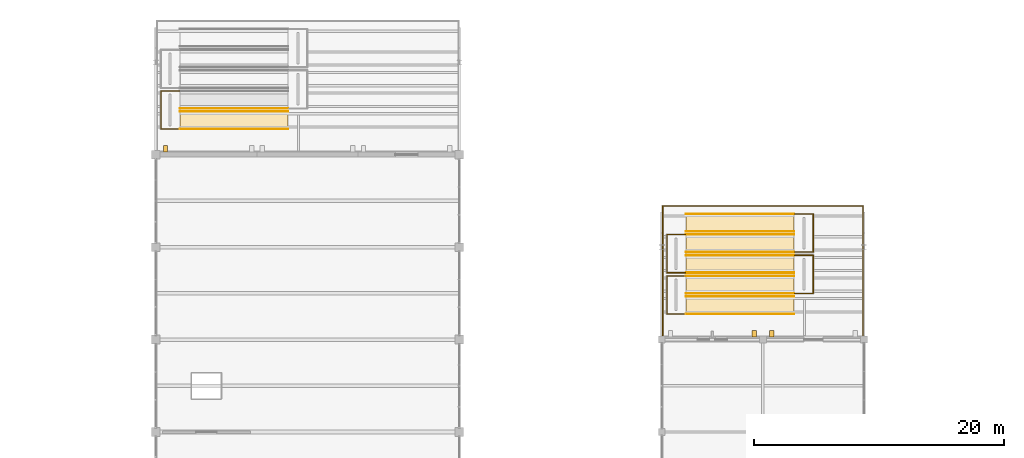
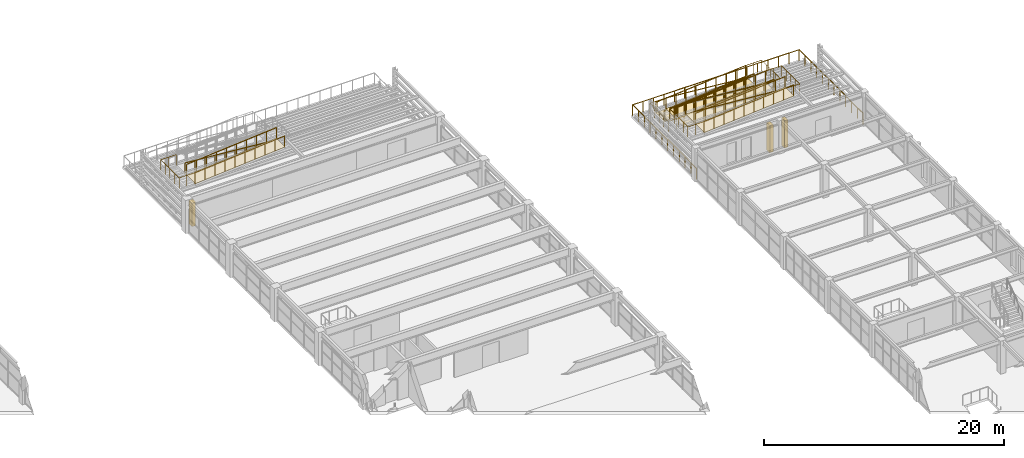
# One storey, part 118 of 121: 19 railings, 6 coverings, 3 shading devices.
"""IFC4 building model written with IfcOpenShell, lengths in metres."""

from ifc_helpers import new_model, si_unit, direction, frame, origin, origin_2d, place, context, subcontext, project, spatial, polyline, rectangle, circle, outline, extrude, material, layer, layer_set, type_object, element, save


model = new_model("IFC4")

# Units and contexts
model_context = context("Model", 3, precision=1e-05, world=origin(), true_north=direction((0.0, 1.0)))
body_context = subcontext(model_context, "Body", "Model", "MODEL_VIEW")
ifc_project = project(units=[si_unit("LENGTHUNIT", "METRE"), si_unit("AREAUNIT", "SQUARE_METRE"), si_unit("VOLUMEUNIT", "CUBIC_METRE"), si_unit("PLANEANGLEUNIT", "RADIAN"), si_unit("MASSUNIT", "GRAM", prefix="KILO")], contexts=[model_context])

# Site, building, storey
site_placement = place(None, origin())
site = spatial("IfcSite", under=ifc_project, at=site_placement, CompositionType="ELEMENT")
building_placement = place(site_placement, origin())
building = spatial("IfcBuilding", under=site, at=building_placement, Name="Cimatlan Art Gallery", CompositionType="ELEMENT")
storey_placement = place(building_placement, frame((0.0, 0.0, 10.199951171875)))
storey = spatial("IfcBuildingStorey", under=building, at=storey_placement, Name="L02", CompositionType="ELEMENT", Elevation=10.199951171875)

# Coverings
ifc_material_1 = material(Name="Queretaro cantera limestone ashlar hood-mould", Category="masonry")
ifc_layer = layer(ifc_material_1, 0.0419921875)
ifc_layer_set = layer_set([ifc_layer], Name="Queretaro cantera limestone ashlar hood-mould")
covering_type = type_object("IfcCoveringType", Name="COV-CLAD-CANTERA-42", PredefinedType="CLADDING", material=ifc_layer_set)
for number, where, z_axis, x_axis, name in (
    (1, (76.85009765625, 99.89990234375, 2.880126953125), (-0.08304314939, 0.0, 0.996545952447), (0.996545952447, 0.0, 0.08304314939), "COV-RMP-TER-B3-FL5"),
    (2, (117.35009765625, 91.699951171875, 0.0), (-0.08304314939, 0.0, 0.996545952447), (0.996545952447, 0.0, 0.08304314939), "COV-RMP-TER-B4-FL1"),
    (3, (117.35009765625, 90.050048828125, 1.43994140625), (0.08304314939, 0.0, 0.996545952447), (0.996545952447, 0.0, -0.08304314939), "COV-RMP-TER-B4-FL2"),
):
    element("IfcCovering", number, at=place(storey_placement, frame(where, z_axis=z_axis, x_axis=x_axis)), inside=storey, type_object=covering_type, Name=name, PredefinedType="CLADDING", context=body_context, shape_type="SweptSolid", body=[
        extrude(outline(polyline([(0.0, 0.0), (8.669838612967244, 0.0), (8.669838612967244, 1.5000000000000004), (0.0, 1.5000000000000004), (0.0, 0.0)])), origin(), (0.0, 0.0, -1.0), 0.02490234375),
    ])
covering_placement = place(storey_placement, frame((117.35009765625, 88.39990234375, 1.43994140625), z_axis=(-0.083071114863, 0.0, 0.996543621662), x_axis=(0.996543621662, 0.0, 0.083071114863)))
element("IfcCovering", 4, at=covering_placement, inside=storey, type_object=covering_type, Name="COV-RMP-TER-B4-FL3", PredefinedType="CLADDING", context=body_context, shape_type="SweptSolid", body=[
    extrude(outline(polyline([(0.0, 0.0), (8.669858890587395, 0.0), (8.669858890587395, 1.4999999999999998), (0.0, 1.4999999999999998), (0.0, 0.0)])), origin(), (0.0, 0.0, -1.0), 0.02490234375),
])
for number, where, z_axis, x_axis, name in (
    (5, (117.35009765625, 86.75, 2.880126953125), (0.08304314939, 0.0, 0.996545952447), (0.996545952447, 0.0, -0.08304314939), "COV-RMP-TER-B4-FL4"),
    (6, (117.35009765625, 85.10009765625, 2.880126953125), (-0.08304314939, 0.0, 0.996545952447), (0.996545952447, 0.0, 0.08304314939), "COV-RMP-TER-B4-FL5"),
):
    element("IfcCovering", number, at=place(storey_placement, frame(where, z_axis=z_axis, x_axis=x_axis)), inside=storey, type_object=covering_type, Name=name, PredefinedType="CLADDING", context=body_context, shape_type="SweptSolid", body=[
        extrude(outline(polyline([(0.0, 0.0), (8.669838612967244, 0.0), (8.669838612967244, 1.5000000000000004), (0.0, 1.5000000000000004), (0.0, 0.0)])), origin(), (0.0, 0.0, -1.0), 0.02490234375),
    ])

# Railings
ifc_material_2 = material(Name="Anodised bronze and laminated glass balustrade", Category="glass")
railing_type = type_object("IfcRailingType", Name="RL-BAL-EXT-1100", PredefinedType="BALUSTRADE", material=ifc_material_2)
railing_1_placement = place(storey_placement, frame((85.489990234375, 101.60009765625, 2.16015625)))
element("IfcRailing", 7, at=railing_1_placement, inside=storey, type_object=railing_type, Name="RMP-TER-B3-GR-F4S", PredefinedType="BALUSTRADE", context=body_context, shape_type="SweptSolid", body=[
    extrude(circle(Radius=0.02587890625, at=origin_2d()), frame((0.0, 0.0, 1.09423828125), z_axis=(-0.996545952447, 0.0, 0.08304314939), x_axis=(0.0, -1.0, 0.0)), (0.0, 0.0, 1.0), 8.669921875),
    extrude(circle(Radius=0.02099609375, at=origin_2d()), origin(), (0.0, 0.0, 1.0), 1.068115234375),
    extrude(circle(Radius=0.02099609375, at=origin_2d()), frame((-0.9599609375, 0.0, 0.080078125)), (0.0, 0.0, 1.0), 1.068115234375),
    extrude(circle(Radius=0.02099609375, at=origin_2d()), frame((-1.919921875, 0.0, 0.159912109375)), (0.0, 0.0, 1.0), 1.068115234375),
    extrude(circle(Radius=0.02099609375, at=origin_2d()), frame((-2.8798828125, 0.0, 0.239990234375)), (0.0, 0.0, 1.0), 1.068115234375),
    extrude(circle(Radius=0.02099609375, at=origin_2d()), frame((-3.83984375, 0.0, 0.320068359375)), (0.0, 0.0, 1.0), 1.068115234375),
    extrude(circle(Radius=0.02099609375, at=origin_2d()), frame((-4.800048828125, 0.0, 0.39990234375)), (0.0, 0.0, 1.0), 1.068115234375),
    extrude(circle(Radius=0.02099609375, at=origin_2d()), frame((-5.760009765625, 0.0, 0.47998046875)), (0.0, 0.0, 1.0), 1.068115234375),
    extrude(circle(Radius=0.02099609375, at=origin_2d()), frame((-6.719970703125, 0.0, 0.56005859375)), (0.0, 0.0, 1.0), 1.068115234375),
    extrude(circle(Radius=0.02099609375, at=origin_2d()), frame((-7.679931640625, 0.0, 0.639892578125)), (0.0, 0.0, 1.0), 1.068115234375),
    extrude(circle(Radius=0.02099609375, at=origin_2d()), frame((-8.639892578125, 0.0, 0.719970703125)), (0.0, 0.0, 1.0), 1.068115234375),
])
railing_2_placement = place(storey_placement, frame((76.81005859375, 103.0, 2.880126953125)))
element("IfcRailing", 8, at=railing_2_placement, inside=storey, type_object=railing_type, Name="RMP-TER-B3-GR-L4", PredefinedType="BALUSTRADE", context=body_context, shape_type="SweptSolid", body=[
    extrude(circle(Radius=0.02587890625, at=origin_2d()), frame((0.0, 0.0, 1.09423828125), z_axis=(-1.0, 0.0, 0.0), x_axis=(0.0, -1.0, 0.0)), (0.0, 0.0, 1.0), 1.5),
    extrude(circle(Radius=0.02587890625, at=origin_2d()), frame((-1.5, 0.0, 1.09423828125), z_axis=(0.0, -1.0, 0.0), x_axis=(1.0, 0.0, 0.0)), (0.0, 0.0, 1.0), 3.050048828125),
    extrude(circle(Radius=0.02587890625, at=origin_2d()), frame((-1.5, -3.050048828125, 1.09423828125), z_axis=(1.0, 0.0, 0.0), x_axis=(0.0, 1.0, 0.0)), (0.0, 0.0, 1.0), 1.5),
    extrude(circle(Radius=0.02099609375, at=origin_2d()), origin(), (0.0, 0.0, 1.0), 1.068115234375),
    extrude(circle(Radius=0.02099609375, at=origin_2d()), frame((-0.75, 0.0, 0.0)), (0.0, 0.0, 1.0), 1.068115234375),
    extrude(circle(Radius=0.02099609375, at=origin_2d()), frame((-1.5, 0.0, 0.0)), (0.0, 0.0, 1.0), 1.068115234375),
    extrude(circle(Radius=0.02099609375, at=origin_2d()), frame((-1.5, -0.762451171875, 0.0)), (0.0, 0.0, 1.0), 1.068115234375),
    extrude(circle(Radius=0.02099609375, at=origin_2d()), frame((-1.5, -1.52490234375, 0.0)), (0.0, 0.0, 1.0), 1.068115234375),
    extrude(circle(Radius=0.02099609375, at=origin_2d()), frame((-1.5, -2.28759765625, 0.0)), (0.0, 0.0, 1.0), 1.068115234375),
    extrude(circle(Radius=0.02099609375, at=origin_2d()), frame((-1.5, -3.050048828125, 0.0)), (0.0, 0.0, 1.0), 1.068115234375),
    extrude(circle(Radius=0.02099609375, at=origin_2d()), frame((-0.75, -3.050048828125, 0.0)), (0.0, 0.0, 1.0), 1.068115234375),
    extrude(circle(Radius=0.02099609375, at=origin_2d()), frame((0.0, -3.050048828125, 0.0)), (0.0, 0.0, 1.0), 1.068115234375),
])
for number, where, name in (
    (9, (76.85009765625, 99.949951171875, 2.880126953125), "RMP-TER-B3-GR-F5S"),
    (10, (76.85009765625, 101.35009765625, 2.880126953125), "RMP-TER-B3-GR-F5N"),
    (11, (117.35009765625, 91.75, 0.0), "RMP-TER-B4-GR-F1S"),
    (12, (117.35009765625, 93.14990234375, 0.0), "RMP-TER-B4-GR-F1N"),
):
    element("IfcRailing", number, at=place(storey_placement, frame(where)), inside=storey, type_object=railing_type, Name=name, PredefinedType="BALUSTRADE", context=body_context, shape_type="SweptSolid", body=[
        extrude(circle(Radius=0.02587890625, at=origin_2d()), frame((0.0, 0.0, 1.09423828125), z_axis=(0.996545952447, 0.0, 0.08304314939), x_axis=(0.0, 1.0, 0.0)), (0.0, 0.0, 1.0), 8.669921875),
        extrude(circle(Radius=0.02099609375, at=origin_2d()), origin(), (0.0, 0.0, 1.0), 1.068115234375),
        extrude(circle(Radius=0.02099609375, at=origin_2d()), frame((0.9599609375, 0.0, 0.080078125)), (0.0, 0.0, 1.0), 1.068115234375),
        extrude(circle(Radius=0.02099609375, at=origin_2d()), frame((1.919921875, 0.0, 0.159912109375)), (0.0, 0.0, 1.0), 1.068115234375),
        extrude(circle(Radius=0.02099609375, at=origin_2d()), frame((2.8798828125, 0.0, 0.239990234375)), (0.0, 0.0, 1.0), 1.068115234375),
        extrude(circle(Radius=0.02099609375, at=origin_2d()), frame((3.83984375, 0.0, 0.320068359375)), (0.0, 0.0, 1.0), 1.068115234375),
        extrude(circle(Radius=0.02099609375, at=origin_2d()), frame((4.800048828125, 0.0, 0.39990234375)), (0.0, 0.0, 1.0), 1.068115234375),
        extrude(circle(Radius=0.02099609375, at=origin_2d()), frame((5.760009765625, 0.0, 0.47998046875)), (0.0, 0.0, 1.0), 1.068115234375),
        extrude(circle(Radius=0.02099609375, at=origin_2d()), frame((6.719970703125, 0.0, 0.56005859375)), (0.0, 0.0, 1.0), 1.068115234375),
        extrude(circle(Radius=0.02099609375, at=origin_2d()), frame((7.679931640625, 0.0, 0.639892578125)), (0.0, 0.0, 1.0), 1.068115234375),
        extrude(circle(Radius=0.02099609375, at=origin_2d()), frame((8.639892578125, 0.0, 0.719970703125)), (0.0, 0.0, 1.0), 1.068115234375),
    ])
railing_3_placement = place(storey_placement, frame((126.030029296875, 93.14990234375, 0.719970703125)))
element("IfcRailing", 13, at=railing_3_placement, inside=storey, type_object=railing_type, Name="RMP-TER-B4-GR-L1", PredefinedType="BALUSTRADE", context=body_context, shape_type="SweptSolid", body=[
    extrude(circle(Radius=0.02587890625, at=origin_2d()), frame((0.0, 0.0, 1.09423828125), z_axis=(1.0, 0.0, 0.0), x_axis=(0.0, 1.0, 0.0)), (0.0, 0.0, 1.0), 1.5),
    extrude(circle(Radius=0.02587890625, at=origin_2d()), frame((1.5, 0.0, 1.09423828125), z_axis=(0.0, -1.0, 0.0), x_axis=(1.0, 0.0, 0.0)), (0.0, 0.0, 1.0), 3.0498046875),
    extrude(circle(Radius=0.02587890625, at=origin_2d()), frame((1.5, -3.0498046875, 1.09423828125), z_axis=(-1.0, 0.0, 0.0), x_axis=(0.0, -1.0, 0.0)), (0.0, 0.0, 1.0), 1.5),
    extrude(circle(Radius=0.02099609375, at=origin_2d()), origin(), (0.0, 0.0, 1.0), 1.068115234375),
    extrude(circle(Radius=0.02099609375, at=origin_2d()), frame((0.75, 0.0, 0.0)), (0.0, 0.0, 1.0), 1.068115234375),
    extrude(circle(Radius=0.02099609375, at=origin_2d()), frame((1.5, 0.0, 0.0)), (0.0, 0.0, 1.0), 1.068115234375),
    extrude(circle(Radius=0.02099609375, at=origin_2d()), frame((1.5, -0.762451171875, 0.0)), (0.0, 0.0, 1.0), 1.068115234375),
    extrude(circle(Radius=0.02099609375, at=origin_2d()), frame((1.5, -1.52490234375, 0.0)), (0.0, 0.0, 1.0), 1.068115234375),
    extrude(circle(Radius=0.02099609375, at=origin_2d()), frame((1.5, -2.287353515625, 0.0)), (0.0, 0.0, 1.0), 1.068115234375),
    extrude(circle(Radius=0.02099609375, at=origin_2d()), frame((1.5, -3.0498046875, 0.0)), (0.0, 0.0, 1.0), 1.068115234375),
    extrude(circle(Radius=0.02099609375, at=origin_2d()), frame((0.75, -3.0498046875, 0.0)), (0.0, 0.0, 1.0), 1.068115234375),
    extrude(circle(Radius=0.02099609375, at=origin_2d()), frame((0.0, -3.0498046875, 0.0)), (0.0, 0.0, 1.0), 1.068115234375),
])
for number, where, name in (
    (14, (125.989990234375, 90.10009765625, 0.719970703125), "RMP-TER-B4-GR-F2S"),
    (15, (125.989990234375, 91.5, 0.719970703125), "RMP-TER-B4-GR-F2N"),
):
    element("IfcRailing", number, at=place(storey_placement, frame(where)), inside=storey, type_object=railing_type, Name=name, PredefinedType="BALUSTRADE", context=body_context, shape_type="SweptSolid", body=[
        extrude(circle(Radius=0.02587890625, at=origin_2d()), frame((0.0, 0.0, 1.09423828125), z_axis=(-0.996545952447, 0.0, 0.08304314939), x_axis=(0.0, -1.0, 0.0)), (0.0, 0.0, 1.0), 8.669921875),
        extrude(circle(Radius=0.02099609375, at=origin_2d()), origin(), (0.0, 0.0, 1.0), 1.068115234375),
        extrude(circle(Radius=0.02099609375, at=origin_2d()), frame((-0.9599609375, 0.0, 0.080078125)), (0.0, 0.0, 1.0), 1.068115234375),
        extrude(circle(Radius=0.02099609375, at=origin_2d()), frame((-1.919921875, 0.0, 0.159912109375)), (0.0, 0.0, 1.0), 1.068115234375),
        extrude(circle(Radius=0.02099609375, at=origin_2d()), frame((-2.8798828125, 0.0, 0.239990234375)), (0.0, 0.0, 1.0), 1.068115234375),
        extrude(circle(Radius=0.02099609375, at=origin_2d()), frame((-3.83984375, 0.0, 0.320068359375)), (0.0, 0.0, 1.0), 1.068115234375),
        extrude(circle(Radius=0.02099609375, at=origin_2d()), frame((-4.800048828125, 0.0, 0.39990234375)), (0.0, 0.0, 1.0), 1.068115234375),
        extrude(circle(Radius=0.02099609375, at=origin_2d()), frame((-5.760009765625, 0.0, 0.47998046875)), (0.0, 0.0, 1.0), 1.068115234375),
        extrude(circle(Radius=0.02099609375, at=origin_2d()), frame((-6.719970703125, 0.0, 0.56005859375)), (0.0, 0.0, 1.0), 1.068115234375),
        extrude(circle(Radius=0.02099609375, at=origin_2d()), frame((-7.679931640625, 0.0, 0.639892578125)), (0.0, 0.0, 1.0), 1.068115234375),
        extrude(circle(Radius=0.02099609375, at=origin_2d()), frame((-8.639892578125, 0.0, 0.719970703125)), (0.0, 0.0, 1.0), 1.068115234375),
    ])
railing_4_placement = place(storey_placement, frame((117.31005859375, 91.5, 1.43994140625)))
element("IfcRailing", 16, at=railing_4_placement, inside=storey, type_object=railing_type, Name="RMP-TER-B4-GR-L2", PredefinedType="BALUSTRADE", context=body_context, shape_type="SweptSolid", body=[
    extrude(circle(Radius=0.02587890625, at=origin_2d()), frame((0.0, 0.0, 1.09423828125), z_axis=(-1.0, 0.0, 0.0), x_axis=(0.0, -1.0, 0.0)), (0.0, 0.0, 1.0), 1.5),
    extrude(circle(Radius=0.02587890625, at=origin_2d()), frame((-1.5, 0.0, 1.09423828125), z_axis=(0.0, -1.0, 0.0), x_axis=(1.0, 0.0, 0.0)), (0.0, 0.0, 1.0), 3.050048828125),
    extrude(circle(Radius=0.02587890625, at=origin_2d()), frame((-1.5, -3.050048828125, 1.09423828125), z_axis=(1.0, 0.0, 0.0), x_axis=(0.0, 1.0, 0.0)), (0.0, 0.0, 1.0), 1.5),
    extrude(circle(Radius=0.02099609375, at=origin_2d()), origin(), (0.0, 0.0, 1.0), 1.068115234375),
    extrude(circle(Radius=0.02099609375, at=origin_2d()), frame((-0.75, 0.0, 0.0)), (0.0, 0.0, 1.0), 1.068115234375),
    extrude(circle(Radius=0.02099609375, at=origin_2d()), frame((-1.5, 0.0, 0.0)), (0.0, 0.0, 1.0), 1.068115234375),
    extrude(circle(Radius=0.02099609375, at=origin_2d()), frame((-1.5, -0.762451171875, 0.0)), (0.0, 0.0, 1.0), 1.068115234375),
    extrude(circle(Radius=0.02099609375, at=origin_2d()), frame((-1.5, -1.52490234375, 0.0)), (0.0, 0.0, 1.0), 1.068115234375),
    extrude(circle(Radius=0.02099609375, at=origin_2d()), frame((-1.5, -2.28759765625, 0.0)), (0.0, 0.0, 1.0), 1.068115234375),
    extrude(circle(Radius=0.02099609375, at=origin_2d()), frame((-1.5, -3.050048828125, 0.0)), (0.0, 0.0, 1.0), 1.068115234375),
    extrude(circle(Radius=0.02099609375, at=origin_2d()), frame((-0.75, -3.050048828125, 0.0)), (0.0, 0.0, 1.0), 1.068115234375),
    extrude(circle(Radius=0.02099609375, at=origin_2d()), frame((0.0, -3.050048828125, 0.0)), (0.0, 0.0, 1.0), 1.068115234375),
])
for number, where, name in (
    (17, (117.35009765625, 88.449951171875, 1.43994140625), "RMP-TER-B4-GR-F3S"),
    (18, (117.35009765625, 89.85009765625, 1.43994140625), "RMP-TER-B4-GR-F3N"),
):
    element("IfcRailing", number, at=place(storey_placement, frame(where)), inside=storey, type_object=railing_type, Name=name, PredefinedType="BALUSTRADE", context=body_context, shape_type="SweptSolid", body=[
        extrude(circle(Radius=0.02587890625, at=origin_2d()), frame((0.0, 0.0, 1.09423828125), z_axis=(0.996543621662, 0.0, 0.083071114863), x_axis=(0.0, 1.0, 0.0)), (0.0, 0.0, 1.0), 8.669921875),
        extrude(circle(Radius=0.02099609375, at=origin_2d()), origin(), (0.0, 0.0, 1.0), 1.068115234375),
        extrude(circle(Radius=0.02099609375, at=origin_2d()), frame((0.9599609375, 0.0, 0.080078125)), (0.0, 0.0, 1.0), 1.068115234375),
        extrude(circle(Radius=0.02099609375, at=origin_2d()), frame((1.919921875, 0.0, 0.16015625)), (0.0, 0.0, 1.0), 1.068115234375),
        extrude(circle(Radius=0.02099609375, at=origin_2d()), frame((2.8798828125, 0.0, 0.239990234375)), (0.0, 0.0, 1.0), 1.068115234375),
        extrude(circle(Radius=0.02099609375, at=origin_2d()), frame((3.83984375, 0.0, 0.320068359375)), (0.0, 0.0, 1.0), 1.068115234375),
        extrude(circle(Radius=0.02099609375, at=origin_2d()), frame((4.800048828125, 0.0, 0.400146484375)), (0.0, 0.0, 1.0), 1.068115234375),
        extrude(circle(Radius=0.02099609375, at=origin_2d()), frame((5.760009765625, 0.0, 0.480224609375)), (0.0, 0.0, 1.0), 1.068115234375),
        extrude(circle(Radius=0.02099609375, at=origin_2d()), frame((6.719970703125, 0.0, 0.56005859375)), (0.0, 0.0, 1.0), 1.068115234375),
        extrude(circle(Radius=0.02099609375, at=origin_2d()), frame((7.679931640625, 0.0, 0.64013671875)), (0.0, 0.0, 1.0), 1.068115234375),
        extrude(circle(Radius=0.02099609375, at=origin_2d()), frame((8.639892578125, 0.0, 0.72021484375)), (0.0, 0.0, 1.0), 1.068115234375),
    ])
railing_5_placement = place(storey_placement, frame((126.030029296875, 89.85009765625, 2.16015625)))
element("IfcRailing", 19, at=railing_5_placement, inside=storey, type_object=railing_type, Name="RMP-TER-B4-GR-L3", PredefinedType="BALUSTRADE", context=body_context, shape_type="SweptSolid", body=[
    extrude(circle(Radius=0.02587890625, at=origin_2d()), frame((0.0, 0.0, 1.09423828125), z_axis=(1.0, 0.0, 0.0), x_axis=(0.0, 1.0, 0.0)), (0.0, 0.0, 1.0), 1.5),
    extrude(circle(Radius=0.02587890625, at=origin_2d()), frame((1.5, 0.0, 1.09423828125), z_axis=(0.0, -1.0, 0.0), x_axis=(1.0, 0.0, 0.0)), (0.0, 0.0, 1.0), 3.050048828125),
    extrude(circle(Radius=0.02587890625, at=origin_2d()), frame((1.5, -3.050048828125, 1.09423828125), z_axis=(-1.0, 0.0, 0.0), x_axis=(0.0, -1.0, 0.0)), (0.0, 0.0, 1.0), 1.5),
    extrude(circle(Radius=0.02099609375, at=origin_2d()), origin(), (0.0, 0.0, 1.0), 1.068115234375),
    extrude(circle(Radius=0.02099609375, at=origin_2d()), frame((0.75, 0.0, 0.0)), (0.0, 0.0, 1.0), 1.068115234375),
    extrude(circle(Radius=0.02099609375, at=origin_2d()), frame((1.5, 0.0, 0.0)), (0.0, 0.0, 1.0), 1.068115234375),
    extrude(circle(Radius=0.02099609375, at=origin_2d()), frame((1.5, -0.762451171875, 0.0)), (0.0, 0.0, 1.0), 1.068115234375),
    extrude(circle(Radius=0.02099609375, at=origin_2d()), frame((1.5, -1.52490234375, 0.0)), (0.0, 0.0, 1.0), 1.068115234375),
    extrude(circle(Radius=0.02099609375, at=origin_2d()), frame((1.5, -2.28759765625, 0.0)), (0.0, 0.0, 1.0), 1.068115234375),
    extrude(circle(Radius=0.02099609375, at=origin_2d()), frame((1.5, -3.050048828125, 0.0)), (0.0, 0.0, 1.0), 1.068115234375),
    extrude(circle(Radius=0.02099609375, at=origin_2d()), frame((0.75, -3.050048828125, 0.0)), (0.0, 0.0, 1.0), 1.068115234375),
    extrude(circle(Radius=0.02099609375, at=origin_2d()), frame((0.0, -3.050048828125, 0.0)), (0.0, 0.0, 1.0), 1.068115234375),
])
for number, where, name in (
    (20, (125.989990234375, 86.800048828125, 2.16015625), "RMP-TER-B4-GR-F4S"),
    (21, (125.989990234375, 88.199951171875, 2.16015625), "RMP-TER-B4-GR-F4N"),
):
    element("IfcRailing", number, at=place(storey_placement, frame(where)), inside=storey, type_object=railing_type, Name=name, PredefinedType="BALUSTRADE", context=body_context, shape_type="SweptSolid", body=[
        extrude(circle(Radius=0.02587890625, at=origin_2d()), frame((0.0, 0.0, 1.09423828125), z_axis=(-0.996545952447, 0.0, 0.08304314939), x_axis=(0.0, -1.0, 0.0)), (0.0, 0.0, 1.0), 8.669921875),
        extrude(circle(Radius=0.02099609375, at=origin_2d()), origin(), (0.0, 0.0, 1.0), 1.068115234375),
        extrude(circle(Radius=0.02099609375, at=origin_2d()), frame((-0.9599609375, 0.0, 0.080078125)), (0.0, 0.0, 1.0), 1.068115234375),
        extrude(circle(Radius=0.02099609375, at=origin_2d()), frame((-1.919921875, 0.0, 0.159912109375)), (0.0, 0.0, 1.0), 1.068115234375),
        extrude(circle(Radius=0.02099609375, at=origin_2d()), frame((-2.8798828125, 0.0, 0.239990234375)), (0.0, 0.0, 1.0), 1.068115234375),
        extrude(circle(Radius=0.02099609375, at=origin_2d()), frame((-3.83984375, 0.0, 0.320068359375)), (0.0, 0.0, 1.0), 1.068115234375),
        extrude(circle(Radius=0.02099609375, at=origin_2d()), frame((-4.800048828125, 0.0, 0.39990234375)), (0.0, 0.0, 1.0), 1.068115234375),
        extrude(circle(Radius=0.02099609375, at=origin_2d()), frame((-5.760009765625, 0.0, 0.47998046875)), (0.0, 0.0, 1.0), 1.068115234375),
        extrude(circle(Radius=0.02099609375, at=origin_2d()), frame((-6.719970703125, 0.0, 0.56005859375)), (0.0, 0.0, 1.0), 1.068115234375),
        extrude(circle(Radius=0.02099609375, at=origin_2d()), frame((-7.679931640625, 0.0, 0.639892578125)), (0.0, 0.0, 1.0), 1.068115234375),
        extrude(circle(Radius=0.02099609375, at=origin_2d()), frame((-8.639892578125, 0.0, 0.719970703125)), (0.0, 0.0, 1.0), 1.068115234375),
    ])
railing_6_placement = place(storey_placement, frame((117.31005859375, 88.199951171875, 2.880126953125)))
element("IfcRailing", 22, at=railing_6_placement, inside=storey, type_object=railing_type, Name="RMP-TER-B4-GR-L4", PredefinedType="BALUSTRADE", context=body_context, shape_type="SweptSolid", body=[
    extrude(circle(Radius=0.02587890625, at=origin_2d()), frame((0.0, 0.0, 1.09423828125), z_axis=(-1.0, 0.0, 0.0), x_axis=(0.0, -1.0, 0.0)), (0.0, 0.0, 1.0), 1.5),
    extrude(circle(Radius=0.02587890625, at=origin_2d()), frame((-1.5, 0.0, 1.09423828125), z_axis=(0.0, -1.0, 0.0), x_axis=(1.0, 0.0, 0.0)), (0.0, 0.0, 1.0), 3.050048828125),
    extrude(circle(Radius=0.02587890625, at=origin_2d()), frame((-1.5, -3.050048828125, 1.09423828125), z_axis=(1.0, 0.0, 0.0), x_axis=(0.0, 1.0, 0.0)), (0.0, 0.0, 1.0), 1.5),
    extrude(circle(Radius=0.02099609375, at=origin_2d()), origin(), (0.0, 0.0, 1.0), 1.068115234375),
    extrude(circle(Radius=0.02099609375, at=origin_2d()), frame((-0.75, 0.0, 0.0)), (0.0, 0.0, 1.0), 1.068115234375),
    extrude(circle(Radius=0.02099609375, at=origin_2d()), frame((-1.5, 0.0, 0.0)), (0.0, 0.0, 1.0), 1.068115234375),
    extrude(circle(Radius=0.02099609375, at=origin_2d()), frame((-1.5, -0.762451171875, 0.0)), (0.0, 0.0, 1.0), 1.068115234375),
    extrude(circle(Radius=0.02099609375, at=origin_2d()), frame((-1.5, -1.52490234375, 0.0)), (0.0, 0.0, 1.0), 1.068115234375),
    extrude(circle(Radius=0.02099609375, at=origin_2d()), frame((-1.5, -2.28759765625, 0.0)), (0.0, 0.0, 1.0), 1.068115234375),
    extrude(circle(Radius=0.02099609375, at=origin_2d()), frame((-1.5, -3.050048828125, 0.0)), (0.0, 0.0, 1.0), 1.068115234375),
    extrude(circle(Radius=0.02099609375, at=origin_2d()), frame((-0.75, -3.050048828125, 0.0)), (0.0, 0.0, 1.0), 1.068115234375),
    extrude(circle(Radius=0.02099609375, at=origin_2d()), frame((0.0, -3.050048828125, 0.0)), (0.0, 0.0, 1.0), 1.068115234375),
])
for number, where, name in (
    (23, (117.35009765625, 85.14990234375, 2.880126953125), "RMP-TER-B4-GR-F5S"),
    (24, (117.35009765625, 86.550048828125, 2.880126953125), "RMP-TER-B4-GR-F5N"),
):
    element("IfcRailing", number, at=place(storey_placement, frame(where)), inside=storey, type_object=railing_type, Name=name, PredefinedType="BALUSTRADE", context=body_context, shape_type="SweptSolid", body=[
        extrude(circle(Radius=0.02587890625, at=origin_2d()), frame((0.0, 0.0, 1.09423828125), z_axis=(0.996545952447, 0.0, 0.08304314939), x_axis=(0.0, 1.0, 0.0)), (0.0, 0.0, 1.0), 8.669921875),
        extrude(circle(Radius=0.02099609375, at=origin_2d()), origin(), (0.0, 0.0, 1.0), 1.068115234375),
        extrude(circle(Radius=0.02099609375, at=origin_2d()), frame((0.9599609375, 0.0, 0.080078125)), (0.0, 0.0, 1.0), 1.068115234375),
        extrude(circle(Radius=0.02099609375, at=origin_2d()), frame((1.919921875, 0.0, 0.159912109375)), (0.0, 0.0, 1.0), 1.068115234375),
        extrude(circle(Radius=0.02099609375, at=origin_2d()), frame((2.8798828125, 0.0, 0.239990234375)), (0.0, 0.0, 1.0), 1.068115234375),
        extrude(circle(Radius=0.02099609375, at=origin_2d()), frame((3.83984375, 0.0, 0.320068359375)), (0.0, 0.0, 1.0), 1.068115234375),
        extrude(circle(Radius=0.02099609375, at=origin_2d()), frame((4.800048828125, 0.0, 0.39990234375)), (0.0, 0.0, 1.0), 1.068115234375),
        extrude(circle(Radius=0.02099609375, at=origin_2d()), frame((5.760009765625, 0.0, 0.47998046875)), (0.0, 0.0, 1.0), 1.068115234375),
        extrude(circle(Radius=0.02099609375, at=origin_2d()), frame((6.719970703125, 0.0, 0.56005859375)), (0.0, 0.0, 1.0), 1.068115234375),
        extrude(circle(Radius=0.02099609375, at=origin_2d()), frame((7.679931640625, 0.0, 0.639892578125)), (0.0, 0.0, 1.0), 1.068115234375),
        extrude(circle(Radius=0.02099609375, at=origin_2d()), frame((8.639892578125, 0.0, 0.719970703125)), (0.0, 0.0, 1.0), 1.068115234375),
    ])
railing_7_placement = place(storey_placement, frame((115.47998046875, 83.1201171875, 0.0)))
element("IfcRailing", 25, at=railing_7_placement, inside=storey, type_object=railing_type, Name="GR-TER-04", PredefinedType="BALUSTRADE", context=body_context, shape_type="SweptSolid", body=[
    extrude(circle(Radius=0.02587890625, at=origin_2d()), frame((0.0, 0.0, 1.09423828125), z_axis=(0.0, 1.0, 0.0), x_axis=(-1.0, 0.0, 0.0)), (0.0, 0.0, 1.0), 10.681884765625),
    extrude(circle(Radius=0.02587890625, at=origin_2d()), frame((0.0, 10.681884765625, 1.09423828125), z_axis=(1.0, 0.0, 0.0), x_axis=(0.0, 1.0, 0.0)), (0.0, 0.0, 1.0), 16.0400390625),
    extrude(circle(Radius=0.02587890625, at=origin_2d()), frame((16.0400390625, 10.681884765625, 1.09423828125), z_axis=(0.0, -1.0, 0.0), x_axis=(1.0, 0.0, 0.0)), (0.0, 0.0, 1.0), 10.681884765625),
    extrude(circle(Radius=0.02099609375, at=origin_2d()), origin(), (0.0, 0.0, 1.0), 1.068115234375),
    extrude(circle(Radius=0.02099609375, at=origin_2d()), frame((0.0, 0.97119140625, 0.0)), (0.0, 0.0, 1.0), 1.068115234375),
    extrude(circle(Radius=0.02099609375, at=origin_2d()), frame((0.0, 1.942138671875, 0.0)), (0.0, 0.0, 1.0), 1.068115234375),
    extrude(circle(Radius=0.02099609375, at=origin_2d()), frame((0.0, 2.913330078125, 0.0)), (0.0, 0.0, 1.0), 1.068115234375),
    extrude(circle(Radius=0.02099609375, at=origin_2d()), frame((0.0, 3.88427734375, 0.0)), (0.0, 0.0, 1.0), 1.068115234375),
    extrude(circle(Radius=0.02099609375, at=origin_2d()), frame((0.0, 4.85546875, 0.0)), (0.0, 0.0, 1.0), 1.068115234375),
    extrude(circle(Radius=0.02099609375, at=origin_2d()), frame((0.0, 5.826416015625, 0.0)), (0.0, 0.0, 1.0), 1.068115234375),
    extrude(circle(Radius=0.02099609375, at=origin_2d()), frame((0.0, 6.797607421875, 0.0)), (0.0, 0.0, 1.0), 1.068115234375),
    extrude(circle(Radius=0.02099609375, at=origin_2d()), frame((0.0, 7.7685546875, 0.0)), (0.0, 0.0, 1.0), 1.068115234375),
    extrude(circle(Radius=0.02099609375, at=origin_2d()), frame((0.0, 8.73974609375, 0.0)), (0.0, 0.0, 1.0), 1.068115234375),
    extrude(circle(Radius=0.02099609375, at=origin_2d()), frame((0.0, 9.710693359375, 0.0)), (0.0, 0.0, 1.0), 1.068115234375),
    extrude(circle(Radius=0.02099609375, at=origin_2d()), frame((0.0, 10.681884765625, 0.0)), (0.0, 0.0, 1.0), 1.068115234375),
    extrude(circle(Radius=0.02099609375, at=origin_2d()), frame((1.00244140625, 10.681884765625, 0.0)), (0.0, 0.0, 1.0), 1.068115234375),
    extrude(circle(Radius=0.02099609375, at=origin_2d()), frame((2.0048828125, 10.681884765625, 0.0)), (0.0, 0.0, 1.0), 1.068115234375),
    extrude(circle(Radius=0.02099609375, at=origin_2d()), frame((3.007568359375, 10.681884765625, 0.0)), (0.0, 0.0, 1.0), 1.068115234375),
    extrude(circle(Radius=0.02099609375, at=origin_2d()), frame((4.010009765625, 10.681884765625, 0.0)), (0.0, 0.0, 1.0), 1.068115234375),
    extrude(circle(Radius=0.02099609375, at=origin_2d()), frame((5.012451171875, 10.681884765625, 0.0)), (0.0, 0.0, 1.0), 1.068115234375),
    extrude(circle(Radius=0.02099609375, at=origin_2d()), frame((6.01513671875, 10.681884765625, 0.0)), (0.0, 0.0, 1.0), 1.068115234375),
    extrude(circle(Radius=0.02099609375, at=origin_2d()), frame((7.017578125, 10.681884765625, 0.0)), (0.0, 0.0, 1.0), 1.068115234375),
    extrude(circle(Radius=0.02099609375, at=origin_2d()), frame((8.02001953125, 10.681884765625, 0.0)), (0.0, 0.0, 1.0), 1.068115234375),
    extrude(circle(Radius=0.02099609375, at=origin_2d()), frame((9.0224609375, 10.681884765625, 0.0)), (0.0, 0.0, 1.0), 1.068115234375),
    extrude(circle(Radius=0.02099609375, at=origin_2d()), frame((10.02490234375, 10.681884765625, 0.0)), (0.0, 0.0, 1.0), 1.068115234375),
    extrude(circle(Radius=0.02099609375, at=origin_2d()), frame((11.027587890625, 10.681884765625, 0.0)), (0.0, 0.0, 1.0), 1.068115234375),
    extrude(circle(Radius=0.02099609375, at=origin_2d()), frame((12.030029296875, 10.681884765625, 0.0)), (0.0, 0.0, 1.0), 1.068115234375),
    extrude(circle(Radius=0.02099609375, at=origin_2d()), frame((13.032470703125, 10.681884765625, 0.0)), (0.0, 0.0, 1.0), 1.068115234375),
    extrude(circle(Radius=0.02099609375, at=origin_2d()), frame((14.03515625, 10.681884765625, 0.0)), (0.0, 0.0, 1.0), 1.068115234375),
    extrude(circle(Radius=0.02099609375, at=origin_2d()), frame((15.03759765625, 10.681884765625, 0.0)), (0.0, 0.0, 1.0), 1.068115234375),
    extrude(circle(Radius=0.02099609375, at=origin_2d()), frame((16.0400390625, 10.681884765625, 0.0)), (0.0, 0.0, 1.0), 1.068115234375),
    extrude(circle(Radius=0.02099609375, at=origin_2d()), frame((16.0400390625, 9.710693359375, 0.0)), (0.0, 0.0, 1.0), 1.068115234375),
    extrude(circle(Radius=0.02099609375, at=origin_2d()), frame((16.0400390625, 8.73974609375, 0.0)), (0.0, 0.0, 1.0), 1.068115234375),
    extrude(circle(Radius=0.02099609375, at=origin_2d()), frame((16.0400390625, 7.7685546875, 0.0)), (0.0, 0.0, 1.0), 1.068115234375),
    extrude(circle(Radius=0.02099609375, at=origin_2d()), frame((16.0400390625, 6.797607421875, 0.0)), (0.0, 0.0, 1.0), 1.068115234375),
    extrude(circle(Radius=0.02099609375, at=origin_2d()), frame((16.0400390625, 5.826416015625, 0.0)), (0.0, 0.0, 1.0), 1.068115234375),
    extrude(circle(Radius=0.02099609375, at=origin_2d()), frame((16.0400390625, 4.85546875, 0.0)), (0.0, 0.0, 1.0), 1.068115234375),
    extrude(circle(Radius=0.02099609375, at=origin_2d()), frame((16.0400390625, 3.88427734375, 0.0)), (0.0, 0.0, 1.0), 1.068115234375),
    extrude(circle(Radius=0.02099609375, at=origin_2d()), frame((16.0400390625, 2.913330078125, 0.0)), (0.0, 0.0, 1.0), 1.068115234375),
    extrude(circle(Radius=0.02099609375, at=origin_2d()), frame((16.0400390625, 1.942138671875, 0.0)), (0.0, 0.0, 1.0), 1.068115234375),
    extrude(circle(Radius=0.02099609375, at=origin_2d()), frame((16.0400390625, 0.97119140625, 0.0)), (0.0, 0.0, 1.0), 1.068115234375),
    extrude(circle(Radius=0.02099609375, at=origin_2d()), frame((16.0400390625, 0.0, 0.0)), (0.0, 0.0, 1.0), 1.068115234375),
])

# Shading devices
ifc_material_3 = material(Name="Queretaro cantera limestone buttress pilaster", Category="masonry")
shading_device_type = type_object("IfcShadingDeviceType", Name="SHD-BUT-520", PredefinedType="USERDEFINED", material=ifc_material_3)
shading_device_placement = place(storey_placement, frame((75.674072265625, 98.35791015625, 0.06005859375), z_axis=(0.0, 0.0, 1.0), x_axis=(1.0, 0.0, 0.0)))
element("IfcShadingDevice", 26, at=shading_device_placement, inside=storey, type_object=shading_device_type, Name="BUT-0277", ObjectType="FIN", PredefinedType="USERDEFINED", context=body_context, shape_type="SweptSolid", body=[
    extrude(rectangle(XDim=0.340087890625, YDim=0.52001953125, at=origin_2d()), origin(), (0.0, 0.0, 1.0), 2.388916015625),
])
for number, where, z_axis, x_axis, name in (
    (27, (122.801025390625, 83.55810546875, 0.06005859375), (0.0, 0.0, 1.0), (1.0, 0.0, 0.0), "BUT-0298"),
    (28, (124.198974609375, 83.55810546875, 0.06005859375), (0.0, 0.0, 1.0), (1.0, 0.0, 0.0), "BUT-0311"),
):
    element("IfcShadingDevice", number, at=place(storey_placement, frame(where, z_axis=z_axis, x_axis=x_axis)), inside=storey, type_object=shading_device_type, Name=name, ObjectType="FIN", PredefinedType="USERDEFINED", context=body_context, shape_type="SweptSolid", body=[
        extrude(rectangle(XDim=0.340087890625, YDim=0.52001953125, at=origin_2d()), origin(), (0.0, 0.0, 1.0), 2.778076171875),
    ])

save(model, "model.ifc")
